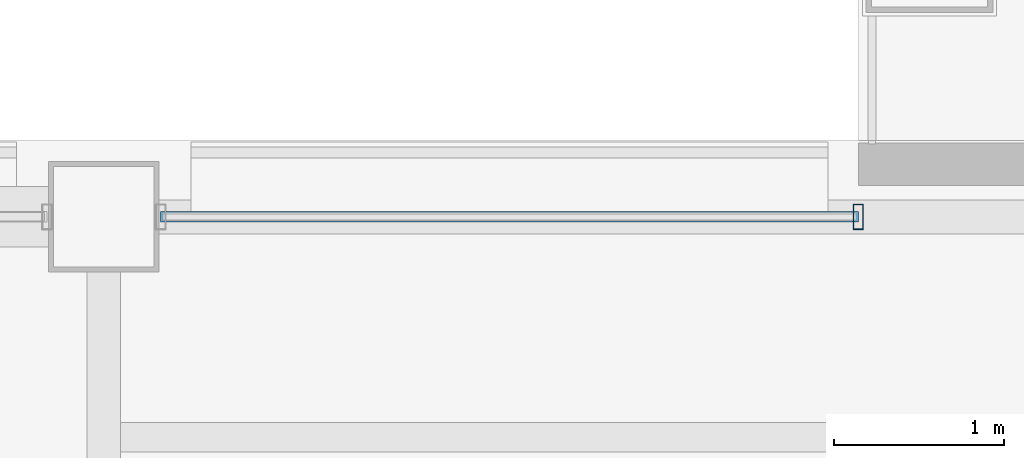
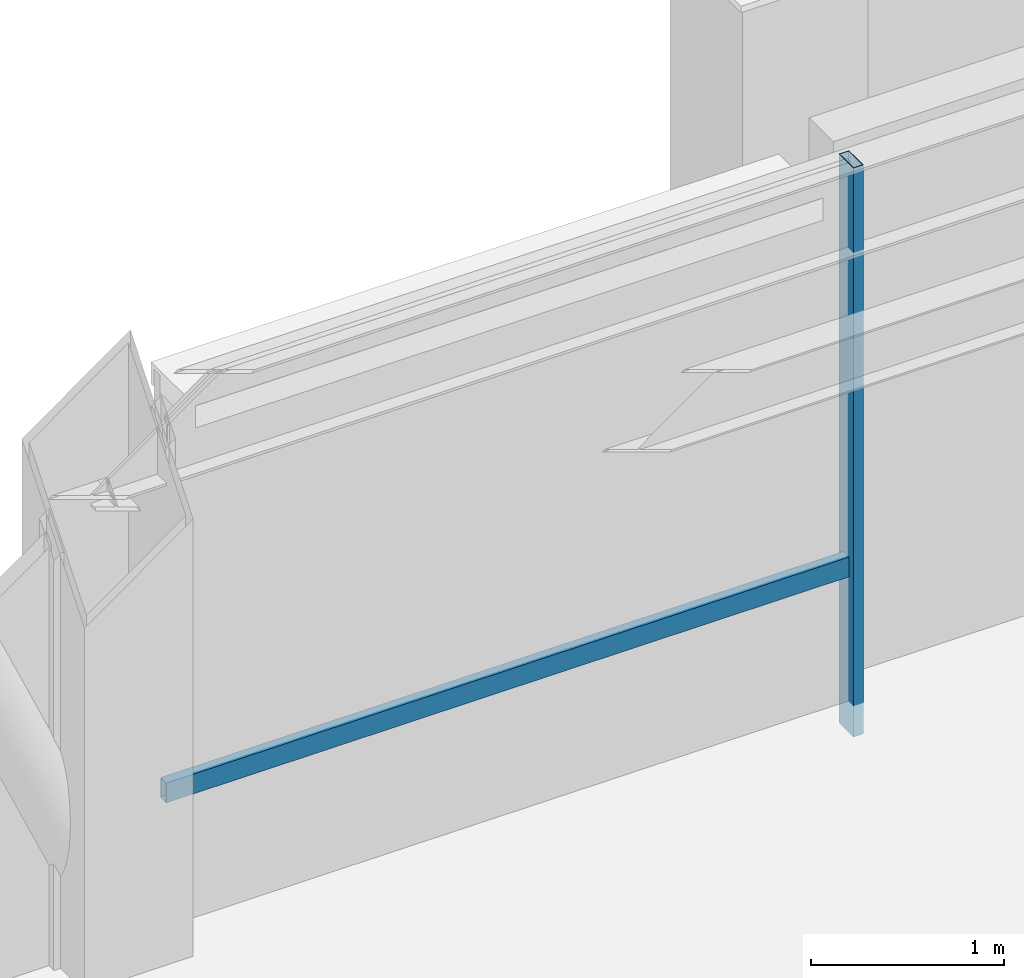
# One storey, part 20 of 30: 2 members, 1 element without a shape of its own.
"""IFC4 building model written with IfcOpenShell, lengths in metres."""

from ifc_helpers import new_model, si_unit, direction, frame, origin, origin_2d, place, context, subcontext, project, spatial, hollow_rectangle, extrude, material, layer, layer_set, material_profile, profile_set, type_object, element, aggregate, save


model = new_model("IFC4")

# Units and contexts
model_context = context("Model", 3, precision=1e-05, world=origin(), true_north=direction((0.0, 1.0)))
body_context = subcontext(model_context, "Body", "Model", "MODEL_VIEW")
ifc_project = project(units=[si_unit("LENGTHUNIT", "METRE"), si_unit("AREAUNIT", "SQUARE_METRE"), si_unit("VOLUMEUNIT", "CUBIC_METRE"), si_unit("PLANEANGLEUNIT", "RADIAN"), si_unit("MASSUNIT", "GRAM", prefix="KILO")], contexts=[model_context])

# Site, building, storey
site_placement = place(None, origin())
site = spatial("IfcSite", under=ifc_project, at=site_placement, CompositionType="ELEMENT")
building_placement = place(site_placement, origin())
building = spatial("IfcBuilding", under=site, at=building_placement, Name="Brelmoor Portico Tower", CompositionType="ELEMENT")
storey_placement = place(building_placement, frame((0.0, 0.0, 236.39990234375)))
storey = spatial("IfcBuildingStorey", under=building, at=storey_placement, Name="L62", CompositionType="ELEMENT", Elevation=236.39990234375)

# Curtain wall, members
ifc_material = material(Name="Anodised Aluminium Alloy 6063-T6", Category="aluminium")
ifc_layer = layer(ifc_material, 0.179931640625)
ifc_layer_set = layer_set([ifc_layer], Name="Anodised Aluminium Alloy 6063-T6")
curtain_wall_type = type_object("IfcCurtainWallType", Name="CW-TOWER-Z4", PredefinedType="NOTDEFINED", material=ifc_layer_set)
curtain_wall_placement = place(storey_placement, origin())
curtain_wall = element("IfcCurtainWall", 1, at=curtain_wall_placement, inside=storey, type_object=curtain_wall_type, Name="L62 Curtain Wall CW-L62-2L-2", PredefinedType="NOTDEFINED")
ifc_material_profile_1 = material_profile(ifc_material, hollow_rectangle(XDim=0.06005859375, YDim=0.14990234375, WallThickness=0.00390625, at=origin_2d()), Name="ALU MULLION 60x150")
ifc_profile_set_1 = profile_set([ifc_material_profile_1], Name="Anodised Aluminium Alloy 6063-T6")
member_type_1 = type_object("IfcMemberType", Name="MB-CW-MULL-150", PredefinedType="MULLION", material=ifc_profile_set_1)
member_1_placement = place(storey_placement, frame((-3.60009765625, 17.550048828125, -0.199951171875), z_axis=(0.0, 0.0, 1.0), x_axis=(1.0, 0.0, 0.0)))
member_1 = element("IfcMember", 2, at=member_1_placement, type_object=member_type_1, Name="CW-L62-2L-2 Mullion 01", PredefinedType="MULLION", context=body_context, shape_type="SweptSolid", body=[
    extrude(hollow_rectangle(XDim=0.06005859375, YDim=0.14990234375, WallThickness=0.00390625, at=origin_2d()), origin(), (0.0, 0.0, 1.0), 3.60009765625),
])
ifc_material_profile_2 = material_profile(ifc_material, hollow_rectangle(XDim=0.06005859375, YDim=0.125, WallThickness=0.00341796875, at=origin_2d()), Name="ALU TRANSOM 60x125")
ifc_profile_set_2 = profile_set([ifc_material_profile_2], Name="Anodised Aluminium Alloy 6063-T6")
member_type_2 = type_object("IfcMemberType", Name="MB-CW-TRAN-125", PredefinedType="USERDEFINED", material=ifc_profile_set_2)
member_2_placement = place(storey_placement, frame((-7.715087890625, 17.550048828125, 0.85009765625), z_axis=(1.0, 0.0, 0.0), x_axis=(0.0, 1.0, 0.0)))
member_2 = element("IfcMember", 3, at=member_2_placement, type_object=member_type_2, Name="CW-L62-2L-2 Transom 1-00", ObjectType="TRANSOM", PredefinedType="USERDEFINED", context=body_context, shape_type="SweptSolid", body=[
    extrude(hollow_rectangle(XDim=0.06005859375, YDim=0.125, WallThickness=0.00341796875, at=origin_2d()), origin(), (0.0, 0.0, 1.0), 4.114990234375),
])
aggregate(curtain_wall, [member_1, member_2])

save(model, "model.ifc")
